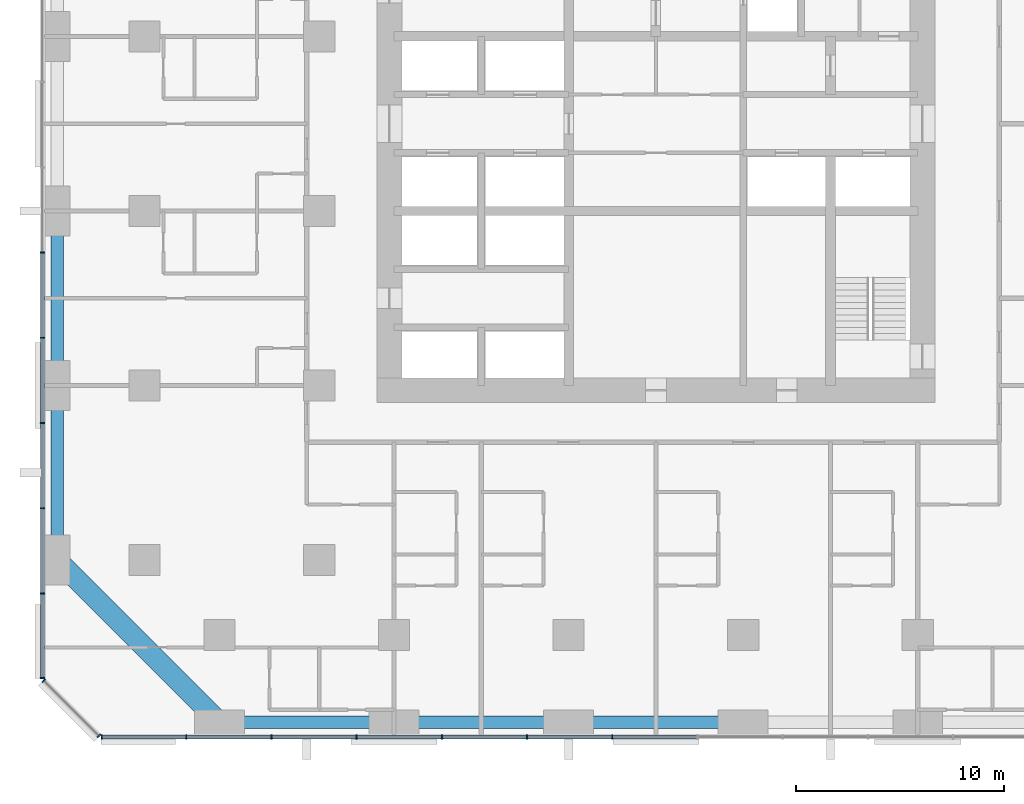
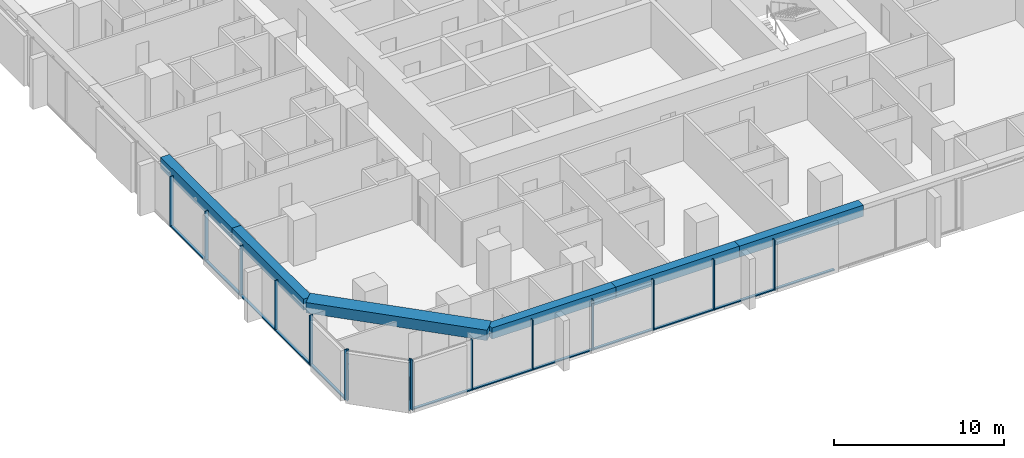
# One storey, part 2 of 14: 27 members, 6 beams, 3 elements without a shape of their own.
"""IFC4 building model written with IfcOpenShell, lengths in metres."""

from ifc_helpers import new_model, si_unit, direction, frame, origin, origin_2d, place, context, subcontext, project, spatial, rectangle, extrude, material, material_profile, profile_set, type_object, element, aggregate, save


model = new_model("IFC4")

# Units and contexts
model_context = context("Model", 3, precision=1e-05, world=origin(), true_north=direction((0.0, 1.0)))
body_context = subcontext(model_context, "Body", "Model", "MODEL_VIEW")
ifc_project = project(units=[si_unit("LENGTHUNIT", "METRE"), si_unit("AREAUNIT", "SQUARE_METRE"), si_unit("VOLUMEUNIT", "CUBIC_METRE"), si_unit("PLANEANGLEUNIT", "RADIAN"), si_unit("MASSUNIT", "GRAM", prefix="KILO")], contexts=[model_context])

# Site, building, storey
site_placement = place(None, origin())
site = spatial("IfcSite", under=ifc_project, at=site_placement, CompositionType="ELEMENT")
building_placement = place(site_placement, origin())
building = spatial("IfcBuilding", under=site, at=building_placement, Name="Dunama Terrace Hotel", CompositionType="ELEMENT")
storey_placement = place(building_placement, frame((0.0, 0.0, 108.0)))
storey = spatial("IfcBuildingStorey", under=building, at=storey_placement, Name="L27", CompositionType="ELEMENT", Elevation=108.0)

# Curtain wall, members
ifc_material_1 = material(Name="Aluminium curtain wall system", Category="aluminium")
curtain_wall_type = type_object("IfcCurtainWallType", Name="Unitised fritted glass wall CW-B", PredefinedType="NOTDEFINED", material=ifc_material_1)
curtain_wall_1_placement = place(storey_placement, origin())
curtain_wall_1 = element("IfcCurtainWall", 1, at=curtain_wall_1_placement, inside=storey, type_object=curtain_wall_type, Name="Unitised fritted glass wall CW-B L27", PredefinedType="NOTDEFINED")
ifc_material_2 = material(Name="Aluminium mullion", Category="aluminium")
ifc_material_profile_1 = material_profile(ifc_material_2, rectangle(XDim=0.06494140625, YDim=0.219970703125, at=origin_2d()), Name="CWB MULLION 65X220")
ifc_profile_set_1 = profile_set([ifc_material_profile_1], Name="Aluminium mullion")
member_type_1 = type_object("IfcMemberType", Name="CWB mullion 65x220", PredefinedType="MULLION", material=ifc_profile_set_1)
member_1_placement = place(storey_placement, frame((2.73291015625, -0.110107421875, 0.0), z_axis=(0.0, 0.0, 1.0), x_axis=(1.0, 0.0, 0.0)))
member_1 = element("IfcMember", 2, at=member_1_placement, type_object=member_type_1, Name="CWB mullion", PredefinedType="MULLION", context=body_context, shape_type="SweptSolid", body=[
    extrude(rectangle(XDim=0.06494140625, YDim=0.219970703125, at=origin_2d()), origin(), (0.0, 0.0, 1.0), 3.60009765625),
])
member_2_placement = place(storey_placement, frame((6.800048828125, -0.110107421875, 0.0), z_axis=(0.0, 0.0, 1.0), x_axis=(1.0, 0.0, 0.0)))
member_2 = element("IfcMember", 3, at=member_2_placement, type_object=member_type_1, Name="CWB mullion", PredefinedType="MULLION", context=body_context, shape_type="SweptSolid", body=[
    extrude(rectangle(XDim=0.06494140625, YDim=0.219970703125, at=origin_2d()), origin(), (0.0, 0.0, 1.0), 3.60009765625),
])
member_3_placement = place(storey_placement, frame((10.89990234375, -0.110107421875, 0.0), z_axis=(0.0, 0.0, 1.0), x_axis=(1.0, 0.0, 0.0)))
member_3 = element("IfcMember", 4, at=member_3_placement, type_object=member_type_1, Name="CWB mullion", PredefinedType="MULLION", context=body_context, shape_type="SweptSolid", body=[
    extrude(rectangle(XDim=0.06494140625, YDim=0.219970703125, at=origin_2d()), origin(), (0.0, 0.0, 1.0), 3.60009765625),
])
member_4_placement = place(storey_placement, frame((15.0, -0.110107421875, 0.0), z_axis=(0.0, 0.0, 1.0), x_axis=(1.0, 0.0, 0.0)))
member_4 = element("IfcMember", 5, at=member_4_placement, type_object=member_type_1, Name="CWB mullion", PredefinedType="MULLION", context=body_context, shape_type="SweptSolid", body=[
    extrude(rectangle(XDim=0.06494140625, YDim=0.219970703125, at=origin_2d()), origin(), (0.0, 0.0, 1.0), 3.60009765625),
])
member_5_placement = place(storey_placement, frame((19.10009765625, -0.110107421875, 0.0), z_axis=(0.0, 0.0, 1.0), x_axis=(1.0, 0.0, 0.0)))
member_5 = element("IfcMember", 6, at=member_5_placement, type_object=member_type_1, Name="CWB mullion", PredefinedType="MULLION", context=body_context, shape_type="SweptSolid", body=[
    extrude(rectangle(XDim=0.06494140625, YDim=0.219970703125, at=origin_2d()), origin(), (0.0, 0.0, 1.0), 3.60009765625),
])
member_6_placement = place(storey_placement, frame((23.199951171875, -0.110107421875, 0.0), z_axis=(0.0, 0.0, 1.0), x_axis=(1.0, 0.0, 0.0)))
member_6 = element("IfcMember", 7, at=member_6_placement, type_object=member_type_1, Name="CWB mullion", PredefinedType="MULLION", context=body_context, shape_type="SweptSolid", body=[
    extrude(rectangle(XDim=0.06494140625, YDim=0.219970703125, at=origin_2d()), origin(), (0.0, 0.0, 1.0), 3.60009765625),
])
member_7_placement = place(storey_placement, frame((27.300048828125, -0.110107421875, 0.0), z_axis=(0.0, 0.0, 1.0), x_axis=(1.0, 0.0, 0.0)))
member_7 = element("IfcMember", 8, at=member_7_placement, type_object=member_type_1, Name="CWB mullion", PredefinedType="MULLION", context=body_context, shape_type="SweptSolid", body=[
    extrude(rectangle(XDim=0.06494140625, YDim=0.219970703125, at=origin_2d()), origin(), (0.0, 0.0, 1.0), 3.60009765625),
])

curtain_wall_2_placement = place(storey_placement, origin())
curtain_wall_2 = element("IfcCurtainWall", 9, at=curtain_wall_2_placement, inside=storey, type_object=curtain_wall_type, Name="Unitised fritted glass wall CW-B L27", PredefinedType="NOTDEFINED")
member_8_placement = place(storey_placement, frame((-0.110107421875, 23.199951171875, 0.0), z_axis=(0.0, 0.0, 1.0), x_axis=(0.0, -1.0, 0.0)))
member_8 = element("IfcMember", 10, at=member_8_placement, type_object=member_type_1, Name="CWB mullion", PredefinedType="MULLION", context=body_context, shape_type="SweptSolid", body=[
    extrude(rectangle(XDim=0.06494140625, YDim=0.219970703125, at=origin_2d()), origin(), (0.0, 0.0, 1.0), 3.60009765625),
])
member_9_placement = place(storey_placement, frame((-0.110107421875, 19.10009765625, 0.0), z_axis=(0.0, 0.0, 1.0), x_axis=(0.0, -1.0, 0.0)))
member_9 = element("IfcMember", 11, at=member_9_placement, type_object=member_type_1, Name="CWB mullion", PredefinedType="MULLION", context=body_context, shape_type="SweptSolid", body=[
    extrude(rectangle(XDim=0.06494140625, YDim=0.219970703125, at=origin_2d()), origin(), (0.0, 0.0, 1.0), 3.60009765625),
])
member_10_placement = place(storey_placement, frame((-0.110107421875, 15.0, 0.0), z_axis=(0.0, 0.0, 1.0), x_axis=(0.0, -1.0, 0.0)))
member_10 = element("IfcMember", 12, at=member_10_placement, type_object=member_type_1, Name="CWB mullion", PredefinedType="MULLION", context=body_context, shape_type="SweptSolid", body=[
    extrude(rectangle(XDim=0.06494140625, YDim=0.219970703125, at=origin_2d()), origin(), (0.0, 0.0, 1.0), 3.60009765625),
])
member_11_placement = place(storey_placement, frame((-0.110107421875, 10.89990234375, 0.0), z_axis=(0.0, 0.0, 1.0), x_axis=(0.0, -1.0, 0.0)))
member_11 = element("IfcMember", 13, at=member_11_placement, type_object=member_type_1, Name="CWB mullion", PredefinedType="MULLION", context=body_context, shape_type="SweptSolid", body=[
    extrude(rectangle(XDim=0.06494140625, YDim=0.219970703125, at=origin_2d()), origin(), (0.0, 0.0, 1.0), 3.60009765625),
])
member_12_placement = place(storey_placement, frame((-0.110107421875, 6.800048828125, 0.0), z_axis=(0.0, 0.0, 1.0), x_axis=(0.0, -1.0, 0.0)))
member_12 = element("IfcMember", 14, at=member_12_placement, type_object=member_type_1, Name="CWB mullion", PredefinedType="MULLION", context=body_context, shape_type="SweptSolid", body=[
    extrude(rectangle(XDim=0.06494140625, YDim=0.219970703125, at=origin_2d()), origin(), (0.0, 0.0, 1.0), 3.60009765625),
])
member_13_placement = place(storey_placement, frame((-0.110107421875, 2.73291015625, 0.0), z_axis=(0.0, 0.0, 1.0), x_axis=(0.0, -1.0, 0.0)))
member_13 = element("IfcMember", 15, at=member_13_placement, type_object=member_type_1, Name="CWB mullion", PredefinedType="MULLION", context=body_context, shape_type="SweptSolid", body=[
    extrude(rectangle(XDim=0.06494140625, YDim=0.219970703125, at=origin_2d()), origin(), (0.0, 0.0, 1.0), 3.60009765625),
])

curtain_wall_3_placement = place(storey_placement, origin())
curtain_wall_3 = element("IfcCurtainWall", 16, at=curtain_wall_3_placement, inside=storey, type_object=curtain_wall_type, Name="Unitised fritted glass wall CW-B L27", PredefinedType="NOTDEFINED")
member_14_placement = place(storey_placement, frame((-0.054931640625, 2.59912109375, 0.0), z_axis=(0.0, 0.0, 1.0), x_axis=(0.707106781187, -0.707106781187, 0.0)))
member_14 = element("IfcMember", 17, at=member_14_placement, type_object=member_type_1, Name="CWB mullion", PredefinedType="MULLION", context=body_context, shape_type="SweptSolid", body=[
    extrude(rectangle(XDim=0.06494140625, YDim=0.219970703125, at=origin_2d()), origin(), (0.0, 0.0, 1.0), 3.60009765625),
])
member_15_placement = place(storey_placement, frame((2.59912109375, -0.054931640625, 0.0), z_axis=(0.0, 0.0, 1.0), x_axis=(0.707106781187, -0.707106781187, 0.0)))
member_15 = element("IfcMember", 18, at=member_15_placement, type_object=member_type_1, Name="CWB mullion", PredefinedType="MULLION", context=body_context, shape_type="SweptSolid", body=[
    extrude(rectangle(XDim=0.06494140625, YDim=0.219970703125, at=origin_2d()), origin(), (0.0, 0.0, 1.0), 3.60009765625),
])
aggregate(curtain_wall_3, [member_14, member_15])

# Member
ifc_material_3 = material(Name="Aluminium transom", Category="aluminium")
ifc_material_profile_2 = material_profile(ifc_material_3, rectangle(XDim=0.179931640625, YDim=0.080078125, at=origin_2d()), Name="CWB TRANSOM 180X80")
ifc_profile_set_2 = profile_set([ifc_material_profile_2], Name="Aluminium transom")
member_type_2 = type_object("IfcMemberType", Name="CWB transom 180x80", PredefinedType="USERDEFINED", material=ifc_profile_set_2)
member_16_placement = place(storey_placement, frame((2.764892578125, -0.110107421875, 0.0400390625), z_axis=(1.0, 0.0, 0.0), x_axis=(0.0, 1.0, 0.0)))
member_16 = element("IfcMember", 19, at=member_16_placement, type_object=member_type_2, Name="CWB transom", ObjectType="TRANSOM", PredefinedType="USERDEFINED", context=body_context, shape_type="SweptSolid", body=[
    extrude(rectangle(XDim=0.179931640625, YDim=0.080078125, at=origin_2d()), origin(), (0.0, 0.0, 1.0), 4.003173828125),
])

member_17_placement = place(storey_placement, frame((6.83203125, -0.110107421875, 0.0400390625), z_axis=(1.0, 0.0, 0.0), x_axis=(0.0, 1.0, 0.0)))
member_17 = element("IfcMember", 20, at=member_17_placement, type_object=member_type_2, Name="CWB transom", ObjectType="TRANSOM", PredefinedType="USERDEFINED", context=body_context, shape_type="SweptSolid", body=[
    extrude(rectangle(XDim=0.179931640625, YDim=0.080078125, at=origin_2d()), origin(), (0.0, 0.0, 1.0), 4.034912109375),
])

member_18_placement = place(storey_placement, frame((10.93310546875, -0.110107421875, 0.0400390625), z_axis=(1.0, 0.0, 0.0), x_axis=(0.0, 1.0, 0.0)))
member_18 = element("IfcMember", 21, at=member_18_placement, type_object=member_type_2, Name="CWB transom", ObjectType="TRANSOM", PredefinedType="USERDEFINED", context=body_context, shape_type="SweptSolid", body=[
    extrude(rectangle(XDim=0.179931640625, YDim=0.080078125, at=origin_2d()), origin(), (0.0, 0.0, 1.0), 4.033935546875),
])

member_19_placement = place(storey_placement, frame((15.031982421875, -0.110107421875, 0.0400390625), z_axis=(1.0, 0.0, 0.0), x_axis=(0.0, 1.0, 0.0)))
member_19 = element("IfcMember", 22, at=member_19_placement, type_object=member_type_2, Name="CWB transom", ObjectType="TRANSOM", PredefinedType="USERDEFINED", context=body_context, shape_type="SweptSolid", body=[
    extrude(rectangle(XDim=0.179931640625, YDim=0.080078125, at=origin_2d()), origin(), (0.0, 0.0, 1.0), 4.034912109375),
])

member_20_placement = place(storey_placement, frame((19.132080078125, -0.110107421875, 0.0400390625), z_axis=(1.0, 0.0, 0.0), x_axis=(0.0, 1.0, 0.0)))
member_20 = element("IfcMember", 23, at=member_20_placement, type_object=member_type_2, Name="CWB transom", ObjectType="TRANSOM", PredefinedType="USERDEFINED", context=body_context, shape_type="SweptSolid", body=[
    extrude(rectangle(XDim=0.179931640625, YDim=0.080078125, at=origin_2d()), origin(), (0.0, 0.0, 1.0), 4.035888671875),
])

member_21_placement = place(storey_placement, frame((23.23193359375, -0.110107421875, 0.0400390625), z_axis=(1.0, 0.0, 0.0), x_axis=(0.0, 1.0, 0.0)))
member_21 = element("IfcMember", 24, at=member_21_placement, type_object=member_type_2, Name="CWB transom", ObjectType="TRANSOM", PredefinedType="USERDEFINED", context=body_context, shape_type="SweptSolid", body=[
    extrude(rectangle(XDim=0.179931640625, YDim=0.080078125, at=origin_2d()), origin(), (0.0, 0.0, 1.0), 4.03515625),
])

member_22_placement = place(storey_placement, frame((27.33203125, -0.110107421875, 0.0400390625), z_axis=(1.0, 0.0, 0.0), x_axis=(0.0, 1.0, 0.0)))
member_22 = element("IfcMember", 25, at=member_22_placement, type_object=member_type_2, Name="CWB transom", ObjectType="TRANSOM", PredefinedType="USERDEFINED", context=body_context, shape_type="SweptSolid", body=[
    extrude(rectangle(XDim=0.179931640625, YDim=0.080078125, at=origin_2d()), origin(), (0.0, 0.0, 1.0), 4.034912109375),
])

aggregate(curtain_wall_1, [member_1, member_2, member_3, member_4, member_5, member_6, member_7, member_16, member_17, member_18, member_19, member_20, member_21, member_22])

member_23_placement = place(storey_placement, frame((-0.110107421875, 23.16796875, 0.0400390625), z_axis=(0.0, -1.0, 0.0), x_axis=(1.0, 0.0, 0.0)))
member_23 = element("IfcMember", 26, at=member_23_placement, type_object=member_type_2, Name="CWB transom", ObjectType="TRANSOM", PredefinedType="USERDEFINED", context=body_context, shape_type="SweptSolid", body=[
    extrude(rectangle(XDim=0.179931640625, YDim=0.080078125, at=origin_2d()), origin(), (0.0, 0.0, 1.0), 4.034912109375),
])

member_24_placement = place(storey_placement, frame((-0.110107421875, 19.068115234375, 0.0400390625), z_axis=(0.0, -1.0, 0.0), x_axis=(1.0, 0.0, 0.0)))
member_24 = element("IfcMember", 27, at=member_24_placement, type_object=member_type_2, Name="CWB transom", ObjectType="TRANSOM", PredefinedType="USERDEFINED", context=body_context, shape_type="SweptSolid", body=[
    extrude(rectangle(XDim=0.179931640625, YDim=0.080078125, at=origin_2d()), origin(), (0.0, 0.0, 1.0), 4.0361328125),
])

member_25_placement = place(storey_placement, frame((-0.110107421875, 14.968017578125, 0.0400390625), z_axis=(0.0, -1.0, 0.0), x_axis=(1.0, 0.0, 0.0)))
member_25 = element("IfcMember", 28, at=member_25_placement, type_object=member_type_2, Name="CWB transom", ObjectType="TRANSOM", PredefinedType="USERDEFINED", context=body_context, shape_type="SweptSolid", body=[
    extrude(rectangle(XDim=0.179931640625, YDim=0.080078125, at=origin_2d()), origin(), (0.0, 0.0, 1.0), 4.0361328125),
])

member_26_placement = place(storey_placement, frame((-0.110107421875, 10.866943359375, 0.0400390625), z_axis=(0.0, -1.0, 0.0), x_axis=(1.0, 0.0, 0.0)))
member_26 = element("IfcMember", 29, at=member_26_placement, type_object=member_type_2, Name="CWB transom", ObjectType="TRANSOM", PredefinedType="USERDEFINED", context=body_context, shape_type="SweptSolid", body=[
    extrude(rectangle(XDim=0.179931640625, YDim=0.080078125, at=origin_2d()), origin(), (0.0, 0.0, 1.0), 4.033935546875),
])

member_27_placement = place(storey_placement, frame((-0.110107421875, 6.76806640625, 0.0400390625), z_axis=(0.0, -1.0, 0.0), x_axis=(1.0, 0.0, 0.0)))
member_27 = element("IfcMember", 30, at=member_27_placement, type_object=member_type_2, Name="CWB transom", ObjectType="TRANSOM", PredefinedType="USERDEFINED", context=body_context, shape_type="SweptSolid", body=[
    extrude(rectangle(XDim=0.179931640625, YDim=0.080078125, at=origin_2d()), origin(), (0.0, 0.0, 1.0), 4.003173828125),
])

aggregate(curtain_wall_2, [member_8, member_9, member_10, member_11, member_12, member_13, member_23, member_24, member_25, member_26, member_27])

# Beams
ifc_material_4 = material(Name="Concrete C50/60", Category="concrete")
ifc_material_profile_3 = material_profile(ifc_material_4, rectangle(XDim=1.0, YDim=0.75, at=origin_2d()), Name="RC 1000x750")
ifc_profile_set_3 = profile_set([ifc_material_profile_3], Name="Concrete C50/60")
beam_type_1 = type_object("IfcBeamType", Name="Edge beam RC 1000x750", PredefinedType="SPANDREL", material=ifc_profile_set_3)
beam_1_placement = place(storey_placement, frame((8.39990234375, 0.60009765625, 3.22509765625), z_axis=(-0.707106781187, 0.707106781187, 0.0), x_axis=(-0.707106781187, -0.707106781187, 0.0)))
element("IfcBeam", 31, at=beam_1_placement, inside=storey, type_object=beam_type_1, Name="Corner edge beam under L28", PredefinedType="SPANDREL", context=body_context, shape_type="SweptSolid", body=[
    extrude(rectangle(XDim=1.0, YDim=0.75, at=origin_2d()), origin(), (0.0, 0.0, 1.0), 11.030517578125),
])
ifc_material_5 = material(Name="Concrete C40/50", Category="concrete")
ifc_material_profile_4 = material_profile(ifc_material_5, rectangle(XDim=0.60009765625, YDim=0.800048828125, at=origin_2d()), Name="RC 600x800")
ifc_profile_set_4 = profile_set([ifc_material_profile_4], Name="Concrete C40/50")
beam_type_2 = type_object("IfcBeamType", Name="Edge beam RC 600x800", PredefinedType="SPANDREL", material=ifc_profile_set_4)
beam_2_placement = place(storey_placement, frame((0.60009765625, 8.39990234375, 3.199951171875), z_axis=(0.0, 1.0, 0.0), x_axis=(-1.0, 0.0, 0.0)))
element("IfcBeam", 32, at=beam_2_placement, inside=storey, type_object=beam_type_2, Name="Edge beam under L28", PredefinedType="SPANDREL", context=body_context, shape_type="SweptSolid", body=[
    extrude(rectangle(XDim=0.60009765625, YDim=0.800048828125, at=origin_2d()), origin(), (0.0, 0.0, 1.0), 8.400146484375),
])
beam_3_placement = place(storey_placement, frame((0.60009765625, 16.800048828125, 3.199951171875), z_axis=(0.0, 1.0, 0.0), x_axis=(-1.0, 0.0, 0.0)))
element("IfcBeam", 33, at=beam_3_placement, inside=storey, type_object=beam_type_2, Name="Edge beam under L28", PredefinedType="SPANDREL", context=body_context, shape_type="SweptSolid", body=[
    extrude(rectangle(XDim=0.60009765625, YDim=0.800048828125, at=origin_2d()), origin(), (0.0, 0.0, 1.0), 8.39990234375),
])
beam_4_placement = place(storey_placement, frame((8.39990234375, 0.60009765625, 3.199951171875), z_axis=(1.0, 0.0, 0.0), x_axis=(0.0, 1.0, 0.0)))
element("IfcBeam", 34, at=beam_4_placement, inside=storey, type_object=beam_type_2, Name="Edge beam under L28", PredefinedType="SPANDREL", context=body_context, shape_type="SweptSolid", body=[
    extrude(rectangle(XDim=0.60009765625, YDim=0.800048828125, at=origin_2d()), origin(), (0.0, 0.0, 1.0), 8.400146484375),
])
beam_5_placement = place(storey_placement, frame((16.800048828125, 0.60009765625, 3.199951171875), z_axis=(1.0, 0.0, 0.0), x_axis=(0.0, 1.0, 0.0)))
element("IfcBeam", 35, at=beam_5_placement, inside=storey, type_object=beam_type_2, Name="Edge beam under L28", PredefinedType="SPANDREL", context=body_context, shape_type="SweptSolid", body=[
    extrude(rectangle(XDim=0.60009765625, YDim=0.800048828125, at=origin_2d()), origin(), (0.0, 0.0, 1.0), 8.39990234375),
])
beam_6_placement = place(storey_placement, frame((25.199951171875, 0.60009765625, 3.199951171875), z_axis=(1.0, 0.0, 0.0), x_axis=(0.0, 1.0, 0.0)))
element("IfcBeam", 36, at=beam_6_placement, inside=storey, type_object=beam_type_2, Name="Edge beam under L28", PredefinedType="SPANDREL", context=body_context, shape_type="SweptSolid", body=[
    extrude(rectangle(XDim=0.60009765625, YDim=0.800048828125, at=origin_2d()), origin(), (0.0, 0.0, 1.0), 8.400146484375),
])

save(model, "model.ifc")
